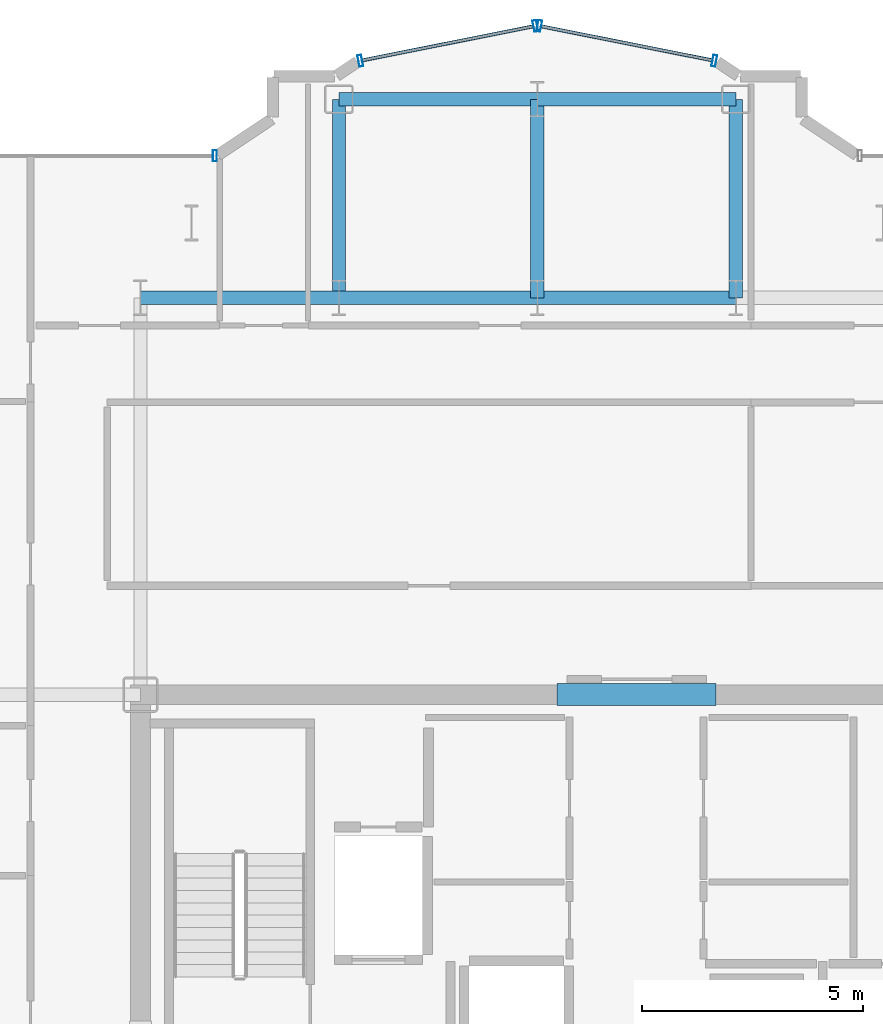
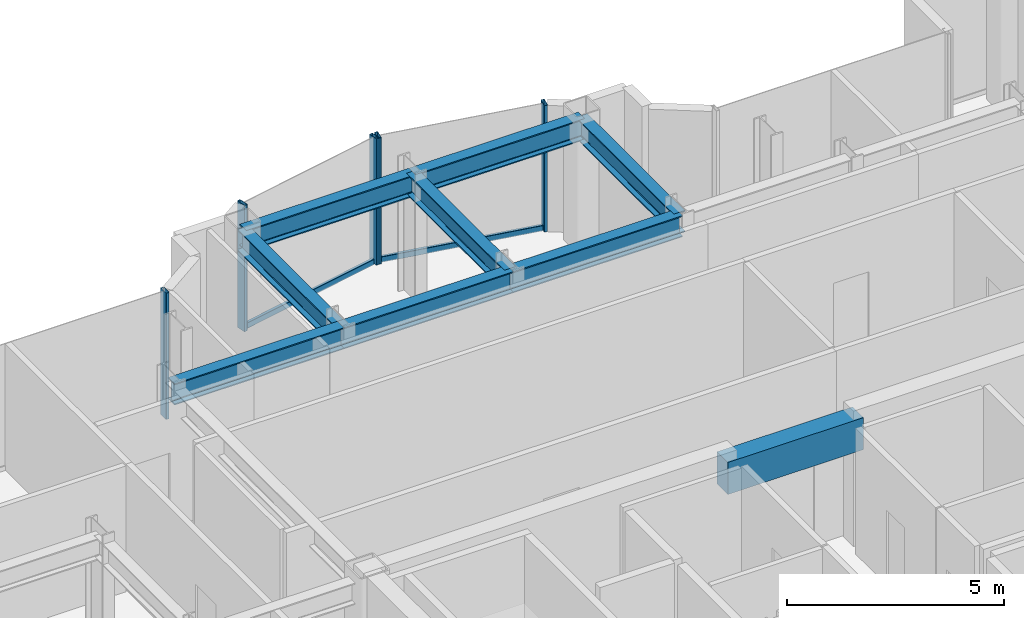
# One storey, part 9 of 21: 9 beams, 7 members, 3 elements without a shape of their own.
"""IFC4 building model written with IfcOpenShell, lengths in metres."""

from ifc_helpers import new_model, si_unit, direction, frame, origin, origin_2d, place, context, subcontext, project, spatial, rectangle, hollow_rectangle, i_section, extrude, source, transform, mapped, material, layer, layer_set, material_profile, profile_set, type_object, element, aggregate, save


model = new_model("IFC4")

# Units and contexts
model_context = context("Model", 3, precision=1e-05, world=origin(), true_north=direction((0.0, 1.0)))
body_context = subcontext(model_context, "Body", "Model", "MODEL_VIEW")
ifc_project = project(units=[si_unit("LENGTHUNIT", "METRE"), si_unit("AREAUNIT", "SQUARE_METRE"), si_unit("VOLUMEUNIT", "CUBIC_METRE"), si_unit("PLANEANGLEUNIT", "RADIAN"), si_unit("MASSUNIT", "GRAM", prefix="KILO")], contexts=[model_context])

# Site, building, storey
site_placement = place(None, origin())
site = spatial("IfcSite", under=ifc_project, at=site_placement, CompositionType="ELEMENT")
building_placement = place(site_placement, origin())
building = spatial("IfcBuilding", under=site, at=building_placement, Name="Nefas-Gora Pilgrimage Tower", CompositionType="ELEMENT")
storey_placement = place(building_placement, frame((0.0, 0.0, 206.60009765625)))
storey = spatial("IfcBuildingStorey", under=building, at=storey_placement, Name="L51", CompositionType="ELEMENT", Elevation=206.60009765625)

# Beams
ifc_material_1 = material(Name="Concrete C50/60", Category="concrete")
ifc_material_profile_1 = material_profile(ifc_material_1, rectangle(XDim=0.5, YDim=0.89990234375, at=origin_2d()), Name="RC 500x900")
ifc_profile_set_1 = profile_set([ifc_material_profile_1], Name="Concrete C50/60")
beam_type_1 = type_object("IfcBeamType", Name="BM-LIN-RC900", PredefinedType="LINTEL", material=ifc_profile_set_1)
shared_shape_1 = source(origin(), body_context, "Body", "SweptSolid", [
    extrude(rectangle(XDim=0.5, YDim=0.89990234375, at=origin_2d()), origin(), (0.0, 0.0, 1.0), 3.60009765625),
])
beam_placement = place(storey_placement, frame((-1.800048828125, 9.0, 3.099853515625), z_axis=(1.0, 0.0, 0.0), x_axis=(0.0, 1.0, 0.0)))
element("IfcBeam", 1, at=beam_placement, inside=storey, type_object=beam_type_1, Name="L51 Core Coupling Lintel Beam N", PredefinedType="LINTEL", context=body_context, shape_type="MappedRepresentation", body=[
    mapped(shared_shape_1, transform((0.0, 0.0, 0.0), x_axis=(1.0, 0.0, 0.0), y_axis=(0.0, 1.0, 0.0), z_axis=(0.0, 0.0, 1.0), scale=1.0)),
])
ifc_material_2 = material(Name="Steel S355", Category="steel")
ifc_material_profile_2 = material_profile(ifc_material_2, i_section(OverallWidth=0.300048828125, OverallDepth=0.60009765625, WebThickness=0.015380859375, FlangeThickness=0.030029296875, FilletRadius=0.027099609375, at=origin_2d()), Name="HEB 600")
ifc_profile_set_2 = profile_set([ifc_material_profile_2], Name="Steel S355")
beam_type_2 = type_object("IfcBeamType", Name="BM-GIR-HEB600", PredefinedType="BEAM", material=ifc_profile_set_2)
shared_shape_2 = source(origin(), body_context, "Body", "SweptSolid", [
    extrude(i_section(OverallWidth=0.300048828125, OverallDepth=0.60009765625, WebThickness=0.015380859375, FlangeThickness=0.030029296875, FilletRadius=0.027099609375, at=origin_2d()), origin(), (0.0, 0.0, 1.0), 4.5),
])
for number, where, z_axis, x_axis, name in (
    (2, (-11.25, 18.0, 3.25), (1.0, 0.0, 0.0), (0.0, 1.0, 0.0), "L51 G-04 beam"),
    (3, (-6.75, 18.0, 3.25), (0.0, 1.0, 0.0), (-1.0, 0.0, 0.0), "L51 G-04 beam"),
    (4, (-6.75, 18.0, 3.25), (1.0, 0.0, 0.0), (0.0, 1.0, 0.0), "L51 G-04 beam"),
    (5, (-6.75, 22.5, 3.25), (1.0, 0.0, 0.0), (0.0, 1.0, 0.0), "L51 G-04 beam"),
    (6, (-2.25, 18.0, 3.25), (0.0, 1.0, 0.0), (-1.0, 0.0, 0.0), "L51 G-04 beam"),
    (7, (-2.25, 18.0, 3.25), (1.0, 0.0, 0.0), (0.0, 1.0, 0.0), "L51 G-04 beam"),
    (8, (-2.25, 22.5, 3.25), (1.0, 0.0, 0.0), (0.0, 1.0, 0.0), "L51 G-04 beam"),
    (9, (2.25, 18.0, 3.25), (0.0, 1.0, 0.0), (-1.0, 0.0, 0.0), "L51 G-04 beam"),
):
    element("IfcBeam", number, at=place(storey_placement, frame(where, z_axis=z_axis, x_axis=x_axis)), inside=storey, type_object=beam_type_2, Name=name, PredefinedType="BEAM", context=body_context, shape_type="MappedRepresentation", body=[
        mapped(shared_shape_2, transform((0.0, 0.0, 0.0), x_axis=(1.0, 0.0, 0.0), y_axis=(0.0, 1.0, 0.0), z_axis=(0.0, 0.0, 1.0), scale=1.0)),
    ])

# Curtain wall, member
ifc_material_3 = material(Name="Dark ceramic-fritted solar-control aluminium-glass curtain wall", Category="aluminium")
ifc_layer = layer(ifc_material_3, 0.219970703125)
ifc_layer_set = layer_set([ifc_layer], Name="Dark ceramic-fritted solar-control aluminium-glass curtain wall")
curtain_wall_type = type_object("IfcCurtainWallType", Name="CW-SYS-5", PredefinedType="NOTDEFINED", material=ifc_layer_set)
curtain_wall_1_placement = place(storey_placement, origin())
curtain_wall_1 = element("IfcCurtainWall", 10, at=curtain_wall_1_placement, inside=storey, type_object=curtain_wall_type, Name="L51 Unitised Curtain Wall CW5", PredefinedType="NOTDEFINED")
ifc_material_4 = material(Name="Anodised architectural aluminium", Category="aluminium")
ifc_material_profile_3 = material_profile(ifc_material_4, hollow_rectangle(XDim=0.080078125, YDim=0.159912109375, WallThickness=0.00439453125, InnerFilletRadius=0.00439453125, OuterFilletRadius=0.009033203125, at=origin_2d()), Name="ALU TRANSOM 80x160")
ifc_profile_set_3 = profile_set([ifc_material_profile_3], Name="Anodised architectural aluminium")
member_type_1 = type_object("IfcMemberType", Name="CWM-TRN-5", PredefinedType="USERDEFINED", material=ifc_profile_set_3)
shared_shape_3 = source(origin(), body_context, "Body", "SweptSolid", [
    extrude(hollow_rectangle(XDim=0.080078125, YDim=0.159912109375, WallThickness=0.00439453125, InnerFilletRadius=0.00439453125, OuterFilletRadius=0.009033203125, at=origin_2d()), origin(), (0.0, 0.0, 1.0), 3.95654296875),
])
member_1_placement = place(storey_placement, frame((1.718994140625, 23.3828125, 0.0498046875), z_axis=(-0.980781880918, 0.195107411605, 0.0), x_axis=(-0.195107411605, -0.980781880918, 0.0)))
member_1 = element("IfcMember", 11, at=member_1_placement, type_object=member_type_1, Name="CW5 Spandrel Transom", ObjectType="TRANSOM", PredefinedType="USERDEFINED", context=body_context, shape_type="MappedRepresentation", body=[
    mapped(shared_shape_3, transform((0.0, 0.0, 0.0), x_axis=(1.0, 0.0, 0.0), y_axis=(0.0, 1.0, 0.0), z_axis=(0.0, 0.0, 1.0), scale=1.0)),
])

curtain_wall_2_placement = place(storey_placement, origin())
curtain_wall_2 = element("IfcCurtainWall", 12, at=curtain_wall_2_placement, inside=storey, type_object=curtain_wall_type, Name="L51 Unitised Curtain Wall CW5", PredefinedType="NOTDEFINED")
member_2_placement = place(storey_placement, frame((-2.33837890625, 24.15478515625, 0.0498046875), z_axis=(-0.980781880918, -0.195107411605, 0.0), x_axis=(0.195107411605, -0.980781880918, 0.0)))
member_2 = element("IfcMember", 13, at=member_2_placement, type_object=member_type_1, Name="CW5 Spandrel Transom", ObjectType="TRANSOM", PredefinedType="USERDEFINED", context=body_context, shape_type="MappedRepresentation", body=[
    mapped(shared_shape_3, transform((0.0, 0.0, 0.0), x_axis=(1.0, 0.0, 0.0), y_axis=(0.0, 1.0, 0.0), z_axis=(0.0, 0.0, 1.0), scale=1.0)),
])

# Member
ifc_material_profile_4 = material_profile(ifc_material_4, hollow_rectangle(XDim=0.090087890625, YDim=0.260009765625, WallThickness=0.006103515625, InnerFilletRadius=0.006103515625, OuterFilletRadius=0.011962890625, at=origin_2d()), Name="ALU MULLION 90x260")
ifc_profile_set_4 = profile_set([ifc_material_profile_4], Name="Anodised architectural aluminium")
member_type_2 = type_object("IfcMemberType", Name="CWM-MUL-5", PredefinedType="MULLION", material=ifc_profile_set_4)
shared_shape_4 = source(origin(), body_context, "Body", "SweptSolid", [
    extrude(hollow_rectangle(XDim=0.090087890625, YDim=0.260009765625, WallThickness=0.006103515625, InnerFilletRadius=0.006103515625, OuterFilletRadius=0.011962890625, at=origin_2d()), origin(), (0.0, 0.0, 1.0), 3.5498046875),
])
member_3_placement = place(storey_placement, frame((1.76318359375, 23.3740234375, 0.0), z_axis=(0.0, 0.0, 1.0), x_axis=(-0.980782896852, 0.195102304554, 0.0)))
member_3 = element("IfcMember", 14, at=member_3_placement, type_object=member_type_2, Name="CW5 Mullion 1", PredefinedType="MULLION", context=body_context, shape_type="MappedRepresentation", body=[
    mapped(shared_shape_4, transform((0.0, 0.0, 0.0), x_axis=(1.0, 0.0, 0.0), y_axis=(0.0, 1.0, 0.0), z_axis=(0.0, 0.0, 1.0), scale=1.0)),
])

member_4_placement = place(storey_placement, frame((-2.205810546875, 24.16357421875, 0.0), z_axis=(0.0, 0.0, 1.0), x_axis=(-0.980782896852, 0.195102304554, 0.0)))
member_4 = element("IfcMember", 15, at=member_4_placement, type_object=member_type_2, Name="CW5 Mullion 2", PredefinedType="MULLION", context=body_context, shape_type="MappedRepresentation", body=[
    mapped(shared_shape_4, transform((0.0, 0.0, 0.0), x_axis=(1.0, 0.0, 0.0), y_axis=(0.0, 1.0, 0.0), z_axis=(0.0, 0.0, 1.0), scale=1.0)),
])

aggregate(curtain_wall_1, [member_3, member_4, member_1])

member_5_placement = place(storey_placement, frame((-2.294189453125, 24.16357421875, 0.0), z_axis=(0.0, 0.0, 1.0), x_axis=(-0.980782896852, -0.195102304554, 0.0)))
member_5 = element("IfcMember", 16, at=member_5_placement, type_object=member_type_2, Name="CW5 Mullion 1", PredefinedType="MULLION", context=body_context, shape_type="MappedRepresentation", body=[
    mapped(shared_shape_4, transform((0.0, 0.0, 0.0), x_axis=(1.0, 0.0, 0.0), y_axis=(0.0, 1.0, 0.0), z_axis=(0.0, 0.0, 1.0), scale=1.0)),
])

member_6_placement = place(storey_placement, frame((-6.26318359375, 23.3740234375, 0.0), z_axis=(0.0, 0.0, 1.0), x_axis=(-0.980782896852, -0.195102304554, 0.0)))
member_6 = element("IfcMember", 17, at=member_6_placement, type_object=member_type_2, Name="CW5 Mullion 2", PredefinedType="MULLION", context=body_context, shape_type="MappedRepresentation", body=[
    mapped(shared_shape_4, transform((0.0, 0.0, 0.0), x_axis=(1.0, 0.0, 0.0), y_axis=(0.0, 1.0, 0.0), z_axis=(0.0, 0.0, 1.0), scale=1.0)),
])

aggregate(curtain_wall_2, [member_5, member_6, member_2])

# Curtain wall, member
curtain_wall_3_placement = place(storey_placement, origin())
curtain_wall_3 = element("IfcCurtainWall", 18, at=curtain_wall_3_placement, inside=storey, type_object=curtain_wall_type, Name="L51 Unitised Curtain Wall CW5", PredefinedType="NOTDEFINED")
member_7_placement = place(storey_placement, frame((-9.56298828125, 21.219970703125, 0.0), z_axis=(0.0, 0.0, 1.0), x_axis=(-1.0, 0.0, 0.0)))
member_7 = element("IfcMember", 19, at=member_7_placement, type_object=member_type_2, Name="CW5 Mullion 1", PredefinedType="MULLION", context=body_context, shape_type="MappedRepresentation", body=[
    mapped(shared_shape_4, transform((0.0, 0.0, 0.0), x_axis=(1.0, 0.0, 0.0), y_axis=(0.0, 1.0, 0.0), z_axis=(0.0, 0.0, 1.0), scale=1.0)),
])
aggregate(curtain_wall_3, [member_7])

save(model, "model.ifc")
